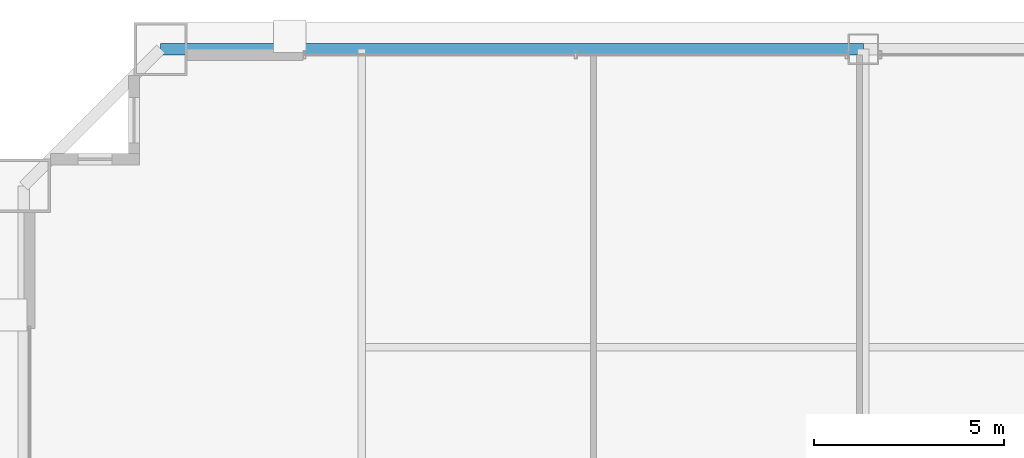
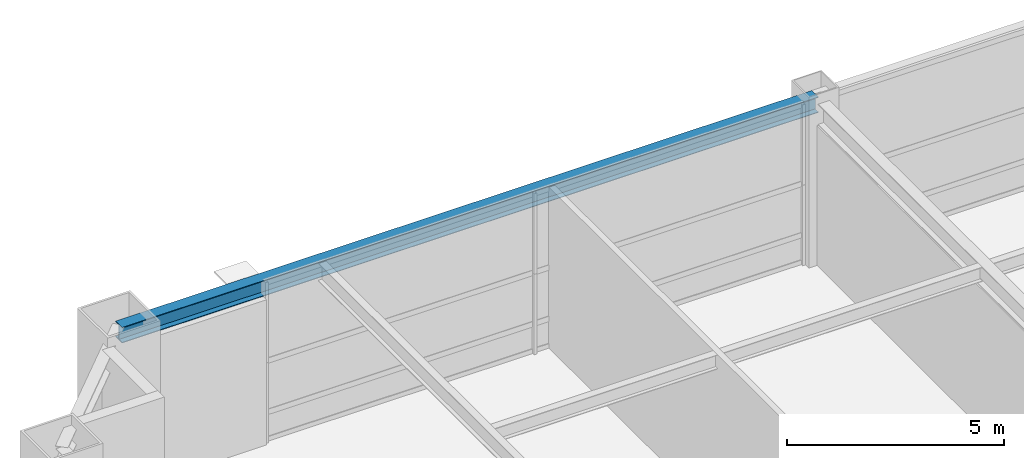
# One storey, part 24 of 34: 1 beam.
"""IFC4 building model written with IfcOpenShell, lengths in metres."""

from ifc_helpers import new_model, si_unit, direction, frame, origin, origin_2d, place, context, subcontext, project, spatial, i_section, extrude, source, transform, mapped, material, material_profile, profile_set, type_object, element, save


model = new_model("IFC4")

# Units and contexts
model_context = context("Model", 3, precision=1e-05, world=origin(), true_north=direction((0.0, 1.0)))
body_context = subcontext(model_context, "Body", "Model", "MODEL_VIEW")
ifc_project = project(units=[si_unit("LENGTHUNIT", "METRE"), si_unit("AREAUNIT", "SQUARE_METRE"), si_unit("VOLUMEUNIT", "CUBIC_METRE"), si_unit("PLANEANGLEUNIT", "RADIAN"), si_unit("MASSUNIT", "GRAM", prefix="KILO"), si_unit("THERMODYNAMICTEMPERATUREUNIT", "KELVIN"), si_unit("POWERUNIT", "WATT")], contexts=[model_context])

# Site, building, storey
site_placement = place(None, origin())
site = spatial("IfcSite", under=ifc_project, at=site_placement, CompositionType="ELEMENT")
building_placement = place(site_placement, origin())
building = spatial("IfcBuilding", under=site, at=building_placement, Name="Yuzanri Waterfront Tower", CompositionType="ELEMENT")
storey_placement = place(building_placement, frame((0.0, 0.0, 171.60009765625)))
storey = spatial("IfcBuildingStorey", under=building, at=storey_placement, Name="L45", CompositionType="ELEMENT", Elevation=171.60009765625)

# Beam
ifc_material = material(Name="Steel Q355B", Category="steel")
ifc_material_profile = material_profile(ifc_material, i_section(OverallWidth=0.300048828125, OverallDepth=0.43994140625, WebThickness=0.010986328125, FlangeThickness=0.01806640625, at=origin_2d()), Name="HM 440x300x11x18")
ifc_profile_set = profile_set([ifc_material_profile], Name="Steel Q355B")
beam_type = type_object("IfcBeamType", Name="Perimeter Spandrel Q355B HM 440x300", PredefinedType="SPANDREL", material=ifc_profile_set)
shared_shape = source(origin(), body_context, "Body", "SweptSolid", [
    extrude(i_section(OverallWidth=0.300048828125, OverallDepth=0.43994140625, WebThickness=0.010986328125, FlangeThickness=0.01806640625, at=origin_2d()), origin(), (0.0, 0.0, 1.0), 18.5),
])
beam_placement = place(storey_placement, frame((37.0, 47.89990234375, 4.2998046875), z_axis=(-1.0, 0.0, 0.0), x_axis=(0.0, -1.0, 0.0)))
element("IfcBeam", 1, at=beam_placement, inside=storey, type_object=beam_type, Name="L45 Perimeter Spandrel N2-N1", PredefinedType="SPANDREL", context=body_context, shape_type="MappedRepresentation", body=[
    mapped(shared_shape, transform((0.0, 0.0, 0.0), scale=1.0)),
])

save(model, "model.ifc")
